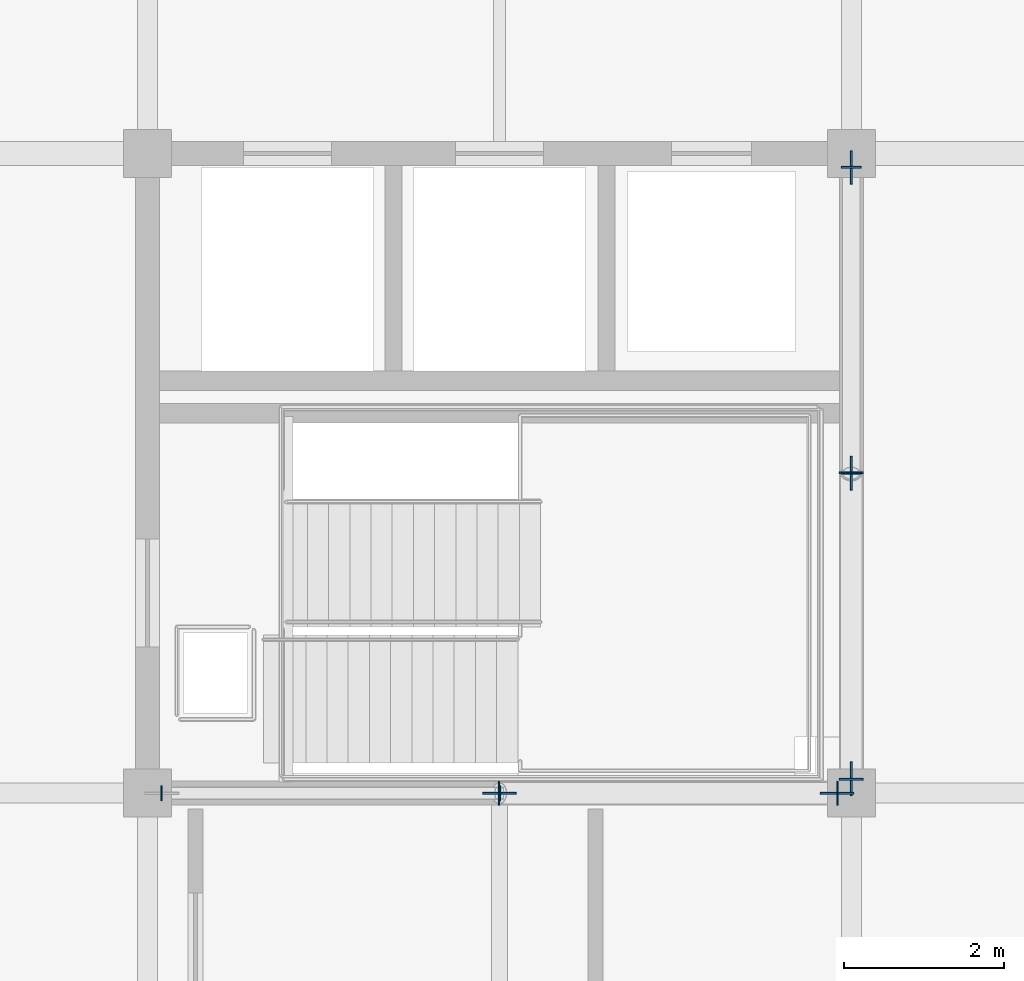
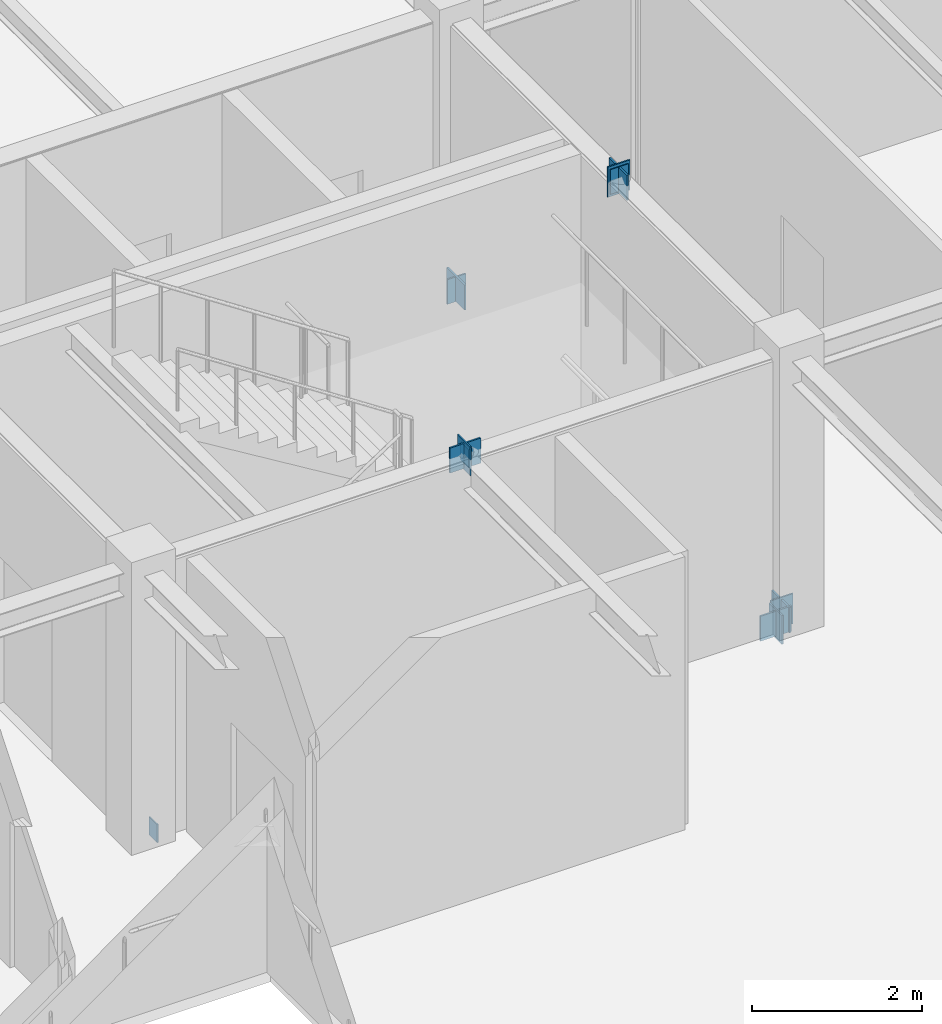
# One storey, part 35 of 64: 13 plates.
"""IFC4 building model written with IfcOpenShell, lengths in metres."""

from ifc_helpers import new_model, si_unit, direction, frame, origin, origin_2d, place, context, subcontext, project, spatial, rectangle, extrude, material, layer, layer_set, type_object, element, save


model = new_model("IFC4")

# Units and contexts
model_context = context("Model", 3, precision=1e-05, world=origin(), true_north=direction((0.0, 1.0)))
body_context = subcontext(model_context, "Body", "Model", "MODEL_VIEW")
ifc_project = project(units=[si_unit("LENGTHUNIT", "METRE"), si_unit("AREAUNIT", "SQUARE_METRE"), si_unit("VOLUMEUNIT", "CUBIC_METRE"), si_unit("PLANEANGLEUNIT", "RADIAN"), si_unit("MASSUNIT", "GRAM", prefix="KILO")], contexts=[model_context])

# Site, building, storey
site_placement = place(None, origin())
site = spatial("IfcSite", under=ifc_project, at=site_placement, CompositionType="ELEMENT")
building_placement = place(site_placement, origin())
building = spatial("IfcBuilding", under=site, at=building_placement, Name="Zhaolan Boulevard Law Courts", CompositionType="ELEMENT")
storey_placement = place(building_placement, frame((0.0, 0.0, 20.39990234375)))
storey = spatial("IfcBuildingStorey", under=building, at=storey_placement, Name="L04", CompositionType="ELEMENT", Elevation=20.39990234375)

# Plates
ifc_material_1 = material(Name="Structural steel Q355B", Category="steel")
ifc_layer_1 = layer(ifc_material_1, 0.02392578125)
ifc_layer_set_1 = layer_set([ifc_layer_1])
plate_type_1 = type_object("IfcPlateType", Name="BRACE GUSSET PLATE 24", PredefinedType="SHEET", material=ifc_layer_set_1)
for number, where, z_axis, x_axis, name in (
    (1, (26.219970703125, 46.0, -0.14990234375), (0.0, 0.0, 1.0), (1.0, 0.0, 0.0), "Brace Gusset Connection Plate GP-W1-L04-SA2"),
    (2, (22.0, 46.0, 3.740234375), (0.0, 0.0, 1.0), (1.0, 0.0, 0.0), "Brace Gusset Connection Plate GP-W1-L04-SAPX"),
    (3, (26.39990234375, 46.179931640625, -0.14990234375), (0.0, 0.0, 1.0), (0.0, 1.0, 0.0), "Brace Gusset Connection Plate GP-W1-L04-EA1"),
    (4, (26.39990234375, 53.820068359375, -0.14990234375), (0.0, 0.0, 1.0), (0.0, 1.0, 0.0), "Brace Gusset Connection Plate GP-W1-L04-EA2"),
    (5, (26.39990234375, 50.0, 3.740234375), (0.0, 0.0, 1.0), (0.0, 1.0, 0.0), "Brace Gusset Connection Plate GP-W1-L04-EAPX"),
):
    element("IfcPlate", number, at=place(storey_placement, frame(where, z_axis=z_axis, x_axis=x_axis)), inside=storey, type_object=plate_type_1, Name=name, PredefinedType="SHEET", context=body_context, shape_type="SweptSolid", body=[
        extrude(rectangle(XDim=0.419921875, YDim=0.02392578125, at=origin_2d()), origin(), (0.0, 0.0, 1.0), 0.360107421875),
    ])
ifc_material_2 = material(Name="Structural steel Q355B", Category="steel")
ifc_layer_2 = layer(ifc_material_2, 0.02001953125)
ifc_layer_set_2 = layer_set([ifc_layer_2])
plate_type_2 = type_object("IfcPlateType", Name="END CAP PLATE 20", PredefinedType="SHEET", material=ifc_layer_set_2)
for number, where, z_axis, x_axis, name in (
    (6, (17.774169921875, 46.0, -0.1044921875), (0.0, 0.0, 1.0), (1.0, 0.0, 0.0), "Hollow Section End-Cap Plate ECP-1087"),
    (7, (22.005859375, 46.0, 3.79638671875), (0.0, 0.0, 1.0), (1.0, 0.0, 0.0), "Hollow Section End-Cap Plate ECP-1088"),
):
    element("IfcPlate", number, at=place(storey_placement, frame(where, z_axis=z_axis, x_axis=x_axis)), inside=storey, type_object=plate_type_2, Name=name, PredefinedType="SHEET", context=body_context, shape_type="SweptSolid", body=[
        extrude(rectangle(XDim=0.02001953125, YDim=0.18994140625, at=origin_2d()), origin(), (0.0, 0.0, 1.0), 0.258056640625),
    ])
for number, where, z_axis, x_axis, name in (
    (8, (26.225830078125, 46.0, -0.181396484375), (0.0, 0.0, 1.0), (-1.0, 0.0, 0.0), "Hollow Section End-Cap Plate ECP-1089"),
    (9, (21.994140625, 46.0, 3.719482421875), (0.0, 0.0, 1.0), (-1.0, 0.0, 0.0), "Hollow Section End-Cap Plate ECP-1090"),
):
    element("IfcPlate", number, at=place(storey_placement, frame(where, z_axis=z_axis, x_axis=x_axis)), inside=storey, type_object=plate_type_2, Name=name, PredefinedType="SHEET", context=body_context, shape_type="SweptSolid", body=[
        extrude(rectangle(XDim=0.02001953125, YDim=0.302978515625, at=origin_2d()), origin(), (0.0, 0.0, 1.0), 0.412109375),
    ])
for number, where, z_axis, x_axis, name in (
    (10, (26.39990234375, 46.17431640625, -0.19140625), (0.0, 0.0, 1.0), (0.0, 1.0, 0.0), "Hollow Section End-Cap Plate ECP-1091"),
    (11, (26.39990234375, 50.005615234375, 3.7099609375), (0.0, 0.0, 1.0), (0.0, 1.0, 0.0), "Hollow Section End-Cap Plate ECP-1092"),
):
    element("IfcPlate", number, at=place(storey_placement, frame(where, z_axis=z_axis, x_axis=x_axis)), inside=storey, type_object=plate_type_2, Name=name, PredefinedType="SHEET", context=body_context, shape_type="SweptSolid", body=[
        extrude(rectangle(XDim=0.02001953125, YDim=0.302978515625, at=origin_2d()), origin(), (0.0, 0.0, 1.0), 0.431884765625),
    ])
for number, where, z_axis, x_axis, name in (
    (12, (26.39990234375, 53.82568359375, -0.153076171875), (0.0, 0.0, 1.0), (0.0, -1.0, 0.0), "Hollow Section End-Cap Plate ECP-1093"),
    (13, (26.39990234375, 49.994384765625, 3.748291015625), (0.0, 0.0, 1.0), (0.0, -1.0, 0.0), "Hollow Section End-Cap Plate ECP-1094"),
):
    element("IfcPlate", number, at=place(storey_placement, frame(where, z_axis=z_axis, x_axis=x_axis)), inside=storey, type_object=plate_type_2, Name=name, PredefinedType="SHEET", context=body_context, shape_type="SweptSolid", body=[
        extrude(rectangle(XDim=0.02001953125, YDim=0.2490234375, at=origin_2d()), origin(), (0.0, 0.0, 1.0), 0.35498046875),
    ])

save(model, "model.ifc")
